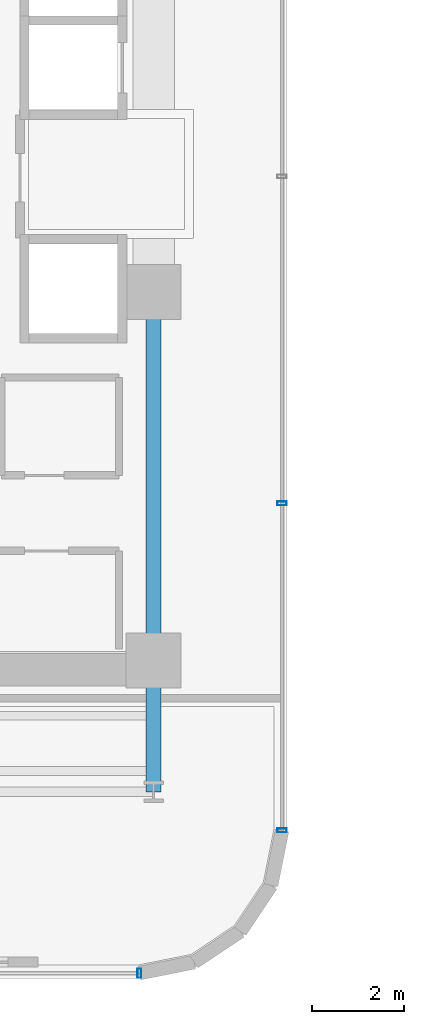
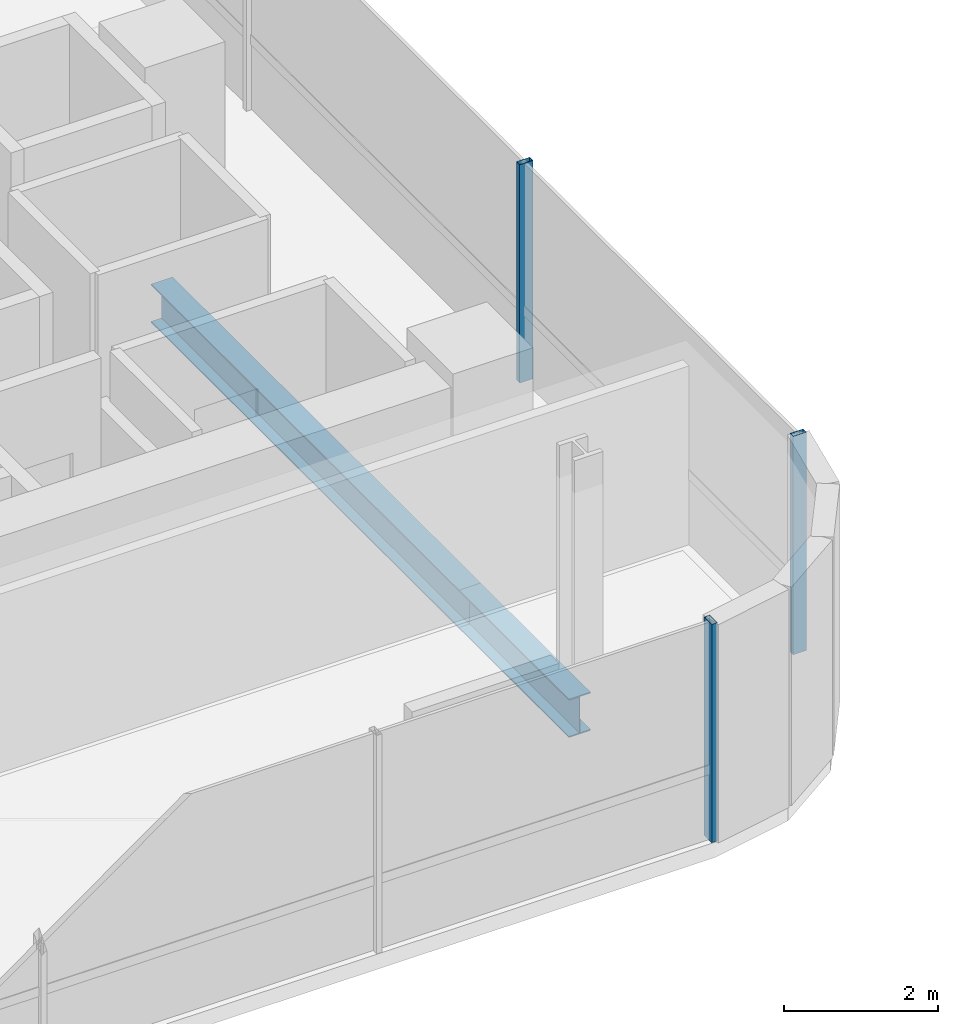
# One storey, part 5 of 35: 3 members, 2 beams, 2 elements without a shape of their own.
"""IFC4 building model written with IfcOpenShell, lengths in metres."""

import ifcopenshell
import ifcopenshell.guid

model = None  # the IFC model being written
_history = None  # IfcOwnerHistory: only IFC2X3 demands one
_inside = {}  # id of a spatial element -> (the spatial element, [elements in it])
_under = {}  # id of a project, library or spatial element -> (it, [spatial elements below it])
_declared = {}  # id of a project -> (the project, [libraries it declares])
_typed = {}  # id of a type object -> (the type object, [elements of that type])
_made_of = {}  # id of a material, layer set ... -> (it, [elements and type objects made of it])


def new_model(schema):
    """Start an empty IFC model of exactly this schema.

    Asked for "IFC4X3", IfcOpenShell would pick the latest addendum, in which some entities
    have other attributes; the version numbers below select the first issue.
    IFC2X3 requires an IfcOwnerHistory on every rooted entity: one is made here for all.
    """
    global model, _history
    if schema == "IFC4X3":
        model = ifcopenshell.file(schema_version=(4, 3, 0, 0))
    else:
        model = ifcopenshell.file(schema=schema)
    _inside.clear()
    _under.clear()
    _declared.clear()
    _typed.clear()
    _made_of.clear()
    _history = None
    if model.schema == "IFC2X3":
        org = make("IfcOrganization", Name="unknown")
        user = make(
            "IfcPersonAndOrganization",
            ThePerson=make("IfcPerson", FamilyName="unknown"),
            TheOrganization=org,
        )
        app = make(
            "IfcApplication",
            ApplicationDeveloper=org,
            Version="unknown",
            ApplicationFullName="unknown",
            ApplicationIdentifier="unknown",
        )
        _history = make(
            "IfcOwnerHistory",
            OwningUser=user,
            OwningApplication=app,
            ChangeAction="ADDED",
            CreationDate=0,
        )
    return model


def make(cls, **values):
    """One entity of the class cls with the attributes given. An attribute that is None is left unset."""
    return model.create_entity(
        cls, **{name: value for name, value in values.items() if value is not None}
    )


def rooted(cls, **values):
    """An entity with a GlobalId (a new one), such as an element, a storey or a relation."""
    return make(cls, GlobalId=ifcopenshell.guid.new(), OwnerHistory=_history, **values)


def si_unit(unit_type, name, prefix=None):
    """IfcSIUnit, for example si_unit("LENGTHUNIT", "METRE", prefix="MILLI")."""
    return make("IfcSIUnit", UnitType=unit_type, Prefix=prefix, Name=name)


def assignment(units):
    """IfcUnitAssignment: the units of a project."""
    return None if units is None else make("IfcUnitAssignment", Units=units)


def point(xyz):
    """IfcCartesianPoint."""
    return None if xyz is None else make("IfcCartesianPoint", Coordinates=xyz)


def direction(xyz):
    """IfcDirection."""
    return None if xyz is None else make("IfcDirection", DirectionRatios=xyz)


def frame(location, z_axis=None, x_axis=None):
    """IfcAxis2Placement3D, a coordinate frame: its origin and axes. An axis left out is left unset."""
    return make(
        "IfcAxis2Placement3D",
        Location=point(location),
        Axis=direction(z_axis),
        RefDirection=direction(x_axis),
    )


def frame_2d(location, x_axis=None):
    """IfcAxis2Placement2D, a coordinate frame in the plane: its origin and x axis."""
    return make(
        "IfcAxis2Placement2D", Location=point(location), RefDirection=direction(x_axis)
    )


def origin():
    """The frame at (0, 0, 0) with its axes left unset."""
    return frame((0.0, 0.0, 0.0))


def origin_2d():
    """The frame at (0, 0) in the plane with its x axis left unset."""
    return frame_2d((0.0, 0.0))


def place(relative_to, where):
    """IfcLocalPlacement: puts the frame where relative to a parent placement (None: the world)."""
    return make(
        "IfcLocalPlacement", PlacementRelTo=relative_to, RelativePlacement=where
    )


def context(
    kind, dimensions, precision=None, world=None, true_north=None, identifier=None
):
    """IfcGeometricRepresentationContext, for example the 3D "Model" context."""
    return make(
        "IfcGeometricRepresentationContext",
        ContextIdentifier=identifier,
        ContextType=kind,
        CoordinateSpaceDimension=dimensions,
        Precision=precision,
        WorldCoordinateSystem=world,
        TrueNorth=true_north,
    )


def subcontext(parent, identifier, kind, view, scale=None):
    """IfcGeometricRepresentationSubContext, for example "Body" below "Model"."""
    return make(
        "IfcGeometricRepresentationSubContext",
        ContextIdentifier=identifier,
        ContextType=kind,
        ParentContext=parent,
        TargetScale=scale,
        TargetView=view,
    )


def project(units=None, contexts=None):
    """IfcProject with its units and contexts."""
    return rooted(
        "IfcProject",
        Name="project",
        RepresentationContexts=contexts,
        UnitsInContext=assignment(units),
    )


def spatial(cls, under=None, at=None, **own):
    """A site, building, storey or space (cls), placed at a placement, below another one or the project."""
    s = rooted(cls, ObjectPlacement=at, **own)
    if under is not None:
        _under.setdefault(under.id(), (under, []))[1].append(s)
    return s


def profile(cls, at=None, kind="AREA", **sizes):
    """A parametric profile (cls). Its sizes go by their IFC names, for example OverallWidth=200.0."""
    return make(cls, ProfileType=kind, Position=at, **sizes)


def hollow_rectangle(**sizes):
    """IfcRectangleHollowProfileDef."""
    return profile("IfcRectangleHollowProfileDef", **sizes)


def i_section(**sizes):
    """IfcIShapeProfileDef."""
    return profile("IfcIShapeProfileDef", **sizes)


def extrude(swept, where, along, depth):
    """IfcExtrudedAreaSolid: the profile swept, set in the frame where, extruded along a direction by depth."""
    return make(
        "IfcExtrudedAreaSolid",
        SweptArea=swept,
        Position=where,
        ExtrudedDirection=direction(along),
        Depth=depth,
    )


def shape(context_of_items, identifier, shape_type, items):
    """IfcShapeRepresentation: the items that make up one representation, for example the "Body"."""
    return make(
        "IfcShapeRepresentation",
        ContextOfItems=context_of_items,
        RepresentationIdentifier=identifier,
        RepresentationType=shape_type,
        Items=items,
    )


def source(mapping_origin, context_of_items, identifier, shape_type, items):
    """IfcRepresentationMap: a shape defined once, which mapped items show again and again."""
    return make(
        "IfcRepresentationMap",
        MappingOrigin=mapping_origin,
        MappedRepresentation=shape(context_of_items, identifier, shape_type, items),
    )


def transform(
    local_origin,
    x_axis=None,
    y_axis=None,
    z_axis=None,
    scale=None,
    scale2=None,
    scale3=None,
    uniform=True,
):
    """IfcCartesianTransformationOperator3D, or its non-uniform kind. x_axis, y_axis, z_axis: its Axis1, 2, 3."""
    if uniform:
        return make(
            "IfcCartesianTransformationOperator3D",
            Axis1=direction(x_axis),
            Axis2=direction(y_axis),
            LocalOrigin=point(local_origin),
            Scale=scale,
            Axis3=direction(z_axis),
        )
    return make(
        "IfcCartesianTransformationOperator3DnonUniform",
        Axis1=direction(x_axis),
        Axis2=direction(y_axis),
        LocalOrigin=point(local_origin),
        Scale=scale,
        Axis3=direction(z_axis),
        Scale2=scale2,
        Scale3=scale3,
    )


def mapped(mapping_source, mapping_target):
    """IfcMappedItem: shows the shape of a source again, moved by a transform."""
    return make(
        "IfcMappedItem", MappingSource=mapping_source, MappingTarget=mapping_target
    )


def material(Name=None, Category=None):
    """IfcMaterial."""
    return make("IfcMaterial", Name=Name, Category=Category)


def material_profile(
    of_material, cross_section, Name=None, Category=None, Priority=None
):
    """IfcMaterialProfile: a cross section and its material."""
    return make(
        "IfcMaterialProfile",
        Name=Name,
        Material=of_material,
        Profile=cross_section,
        Priority=Priority,
        Category=Category,
    )


def profile_set(profiles, Name=None, composite=None):
    """IfcMaterialProfileSet."""
    return make(
        "IfcMaterialProfileSet",
        Name=Name,
        MaterialProfiles=profiles,
        CompositeProfile=composite,
    )


def made_of(thing, what):
    """Note that an element or type object is made of a material, layer set ...; save() writes the relation."""
    if what is not None:
        _made_of.setdefault(what.id(), (what, []))[1].append(thing)
    return thing


def type_object(cls, material=None, **own):
    """A type object (cls), such as IfcWallType, which elements share."""
    return made_of(rooted(cls, **own), material)


def element(
    cls,
    number,
    at=None,
    inside=None,
    cuts=None,
    type_object=None,
    material=None,
    context=None,
    identifier="Body",
    shape_type=None,
    held_by="IfcProductDefinitionShape",
    body=None,
    shapes=None,
    **own,
):
    """One element of the class cls, such as IfcWall. Its Tag is "e" and its number.

    at: its placement. inside: the storey or other place that contains it. cuts: it is an
    opening in that element (IfcRelVoidsElement). A single representation is given by context,
    identifier, shape_type and body (its items); several are given by shapes. held_by: the class
    of the entity that holds the representations. save() writes the other relations.
    """
    e = rooted(cls, Tag="e%d" % number, ObjectPlacement=at, **own)
    if body is not None:
        shapes = [shape(context, identifier, shape_type, body)]
    if shapes is not None:
        e.Representation = make(held_by, Representations=shapes)
    if inside is not None:
        _inside.setdefault(inside.id(), (inside, []))[1].append(e)
    if cuts is not None:
        rooted(
            "IfcRelVoidsElement", RelatingBuildingElement=cuts, RelatedOpeningElement=e
        )
    if type_object is not None:
        _typed.setdefault(type_object.id(), (type_object, []))[1].append(e)
    return made_of(e, material)


def aggregate(whole, parts):
    """IfcRelAggregates: a whole, such as a stair, and the parts it consists of."""
    return rooted("IfcRelAggregates", RelatingObject=whole, RelatedObjects=parts)


def save(model, path):
    """Write the relations noted so far, then the file.

    IfcRelAggregates (storeys below a building ...), IfcRelContainedInSpatialStructure (elements
    in a storey), IfcRelDefinesByType, IfcRelAssociatesMaterial and IfcRelDeclares: one each for
    every whole, place, type object, material and project.
    """
    for whole, parts in _under.values():
        aggregate(whole, parts)
    for where, things in _inside.values():
        rooted(
            "IfcRelContainedInSpatialStructure",
            RelatedElements=things,
            RelatingStructure=where,
        )
    for kind, things in _typed.values():
        rooted("IfcRelDefinesByType", RelatedObjects=things, RelatingType=kind)
    for what, things in _made_of.values():
        rooted("IfcRelAssociatesMaterial", RelatedObjects=things, RelatingMaterial=what)
    for by, libraries in _declared.values():
        rooted("IfcRelDeclares", RelatingContext=by, RelatedDefinitions=libraries)
    model.write(path)


model = new_model("IFC4")

# Units and contexts
model_context = context("Model", 3, precision=1e-05, world=origin(), true_north=direction((0.0, 1.0)))
body_context = subcontext(model_context, "Body", "Model", "MODEL_VIEW")
ifc_project = project(units=[si_unit("LENGTHUNIT", "METRE"), si_unit("AREAUNIT", "SQUARE_METRE"), si_unit("VOLUMEUNIT", "CUBIC_METRE"), si_unit("PLANEANGLEUNIT", "RADIAN"), si_unit("MASSUNIT", "GRAM", prefix="KILO")], contexts=[model_context])

# Site, building, storey
site_placement = place(None, origin())
site = spatial("IfcSite", under=ifc_project, at=site_placement, CompositionType="ELEMENT")
building_placement = place(site_placement, origin())
building = spatial("IfcBuilding", under=site, at=building_placement, Name="Valdorenza Pilgrim Sanctuary Tower", CompositionType="ELEMENT")
storey_placement = place(building_placement, frame((0.0, 0.0, 113.10009765625)))
storey = spatial("IfcBuildingStorey", under=building, at=storey_placement, Name="L28", CompositionType="ELEMENT", Elevation=113.10009765625)

# Beams
ifc_material_1 = material(Name="Steel ASTM A992 Grade 50", Category="steel")
ifc_material_profile_1 = material_profile(ifc_material_1, i_section(OverallWidth=0.323974609375, OverallDepth=0.611083984375, WebThickness=0.0126953125, FlangeThickness=0.01904296875, at=origin_2d()), Name="W24X104")
ifc_profile_set_1 = profile_set([ifc_material_profile_1], Name="Steel ASTM A992 Grade 50")
beam_type = type_object("IfcBeamType", Name="STR-BM-GRD-W24B", PredefinedType="BEAM", material=ifc_profile_set_1)
shared_shape_1 = source(origin(), body_context, "Body", "SweptSolid", [
    extrude(i_section(OverallWidth=0.323974609375, OverallDepth=0.611083984375, WebThickness=0.0126953125, FlangeThickness=0.01904296875, at=origin_2d()), origin(), (0.0, 0.0, 1.0), 8.0),
])
beam_1_placement = place(storey_placement, frame((-12.39990234375, -10.60009765625, -0.545654296875), z_axis=(0.0, 1.0, 0.0), x_axis=(-1.0, 0.0, 0.0)))
element("IfcBeam", 1, at=beam_1_placement, inside=storey, type_object=beam_type, Name="L28 Core Tie Girder CA-E-S1M0", PredefinedType="BEAM", context=body_context, shape_type="MappedRepresentation", body=[
    mapped(shared_shape_1, transform((0.0, 0.0, 0.0), x_axis=(1.0, 0.0, 0.0), y_axis=(0.0, 1.0, 0.0), z_axis=(0.0, 0.0, 1.0), scale=1.0)),
])
shared_shape_2 = source(origin(), body_context, "Body", "SweptSolid", [
    extrude(i_section(OverallWidth=0.323974609375, OverallDepth=0.611083984375, WebThickness=0.0126953125, FlangeThickness=0.01904296875, at=origin_2d()), origin(), (0.0, 0.0, 1.0), 2.849853515625),
])
beam_2_placement = place(storey_placement, frame((-12.39990234375, -13.449951171875, -0.545654296875), z_axis=(0.0, 1.0, 0.0), x_axis=(-1.0, 0.0, 0.0)))
element("IfcBeam", 2, at=beam_2_placement, inside=storey, type_object=beam_type, Name="L28 Floor Girder WA-S-LE", PredefinedType="BEAM", context=body_context, shape_type="MappedRepresentation", body=[
    mapped(shared_shape_2, transform((0.0, 0.0, 0.0), x_axis=(1.0, 0.0, 0.0), y_axis=(0.0, 1.0, 0.0), z_axis=(0.0, 0.0, 1.0), scale=1.0)),
])

# Curtain wall, members
ifc_material_2 = material(Name="Curtain-wall IGU glazing", Category="glass")
curtain_wall_type = type_object("IfcCurtainWallType", Name="CW-SYS-02", PredefinedType="NOTDEFINED", material=ifc_material_2)
curtain_wall_1_placement = place(storey_placement, origin())
curtain_wall_1 = element("IfcCurtainWall", 3, at=curtain_wall_1_placement, inside=storey, type_object=curtain_wall_type, Name="L28 Curtain Wall CW-L28-1-41", PredefinedType="NOTDEFINED")
ifc_material_3 = material(Name="Anodised aluminium AW-6060", Category="aluminium")
ifc_material_profile_2 = material_profile(ifc_material_3, hollow_rectangle(XDim=0.0849609375, YDim=0.199951171875, WallThickness=0.0048828125, at=origin_2d()), Name="ALU-M 200x85x5")
ifc_profile_set_2 = profile_set([ifc_material_profile_2], Name="Anodised aluminium AW-6060")
member_type = type_object("IfcMemberType", Name="CW-MUL-02", PredefinedType="MULLION", material=ifc_profile_set_2)
shared_shape_3 = source(origin(), body_context, "Body", "SweptSolid", [
    extrude(hollow_rectangle(XDim=0.0849609375, YDim=0.199951171875, WallThickness=0.0048828125, at=origin_2d()), origin(), (0.0, 0.0, 1.0), 3.4599609375),
])
member_1_placement = place(storey_placement, frame((-9.610107421875, -7.189208984375, 0.0), z_axis=(0.0, 0.0, 1.0), x_axis=(0.0, -1.0, 0.0)))
member_1 = element("IfcMember", 4, at=member_1_placement, type_object=member_type, Name="CW-L28-1-41 Mullion 3", PredefinedType="MULLION", context=body_context, shape_type="MappedRepresentation", body=[
    mapped(shared_shape_3, transform((0.0, 0.0, 0.0), x_axis=(1.0, 0.0, 0.0), y_axis=(0.0, 1.0, 0.0), z_axis=(0.0, 0.0, 1.0), scale=1.0)),
])
member_2_placement = place(storey_placement, frame((-9.610107421875, -14.289306640625, 0.0), z_axis=(0.0, 0.0, 1.0), x_axis=(0.0, -1.0, 0.0)))
member_2 = element("IfcMember", 5, at=member_2_placement, type_object=member_type, Name="CW-L28-1-41 Mullion 4", PredefinedType="MULLION", context=body_context, shape_type="MappedRepresentation", body=[
    mapped(shared_shape_3, transform((0.0, 0.0, 0.0), x_axis=(1.0, 0.0, 0.0), y_axis=(0.0, 1.0, 0.0), z_axis=(0.0, 0.0, 1.0), scale=1.0)),
])
aggregate(curtain_wall_1, [member_1, member_2])

# Curtain wall, member
curtain_wall_2_placement = place(storey_placement, origin())
curtain_wall_2 = element("IfcCurtainWall", 6, at=curtain_wall_2_placement, inside=storey, type_object=curtain_wall_type, Name="L28 Curtain Wall CW-L28-1-46", PredefinedType="NOTDEFINED")
member_3_placement = place(storey_placement, frame((-12.710693359375, -17.389892578125, 0.0), z_axis=(0.0, 0.0, 1.0), x_axis=(-1.0, 0.0, 0.0)))
member_3 = element("IfcMember", 7, at=member_3_placement, type_object=member_type, Name="CW-L28-1-46 Mullion 1", PredefinedType="MULLION", context=body_context, shape_type="MappedRepresentation", body=[
    mapped(shared_shape_3, transform((0.0, 0.0, 0.0), x_axis=(1.0, 0.0, 0.0), y_axis=(0.0, 1.0, 0.0), z_axis=(0.0, 0.0, 1.0), scale=1.0)),
])
aggregate(curtain_wall_2, [member_3])

save(model, "model.ifc")
